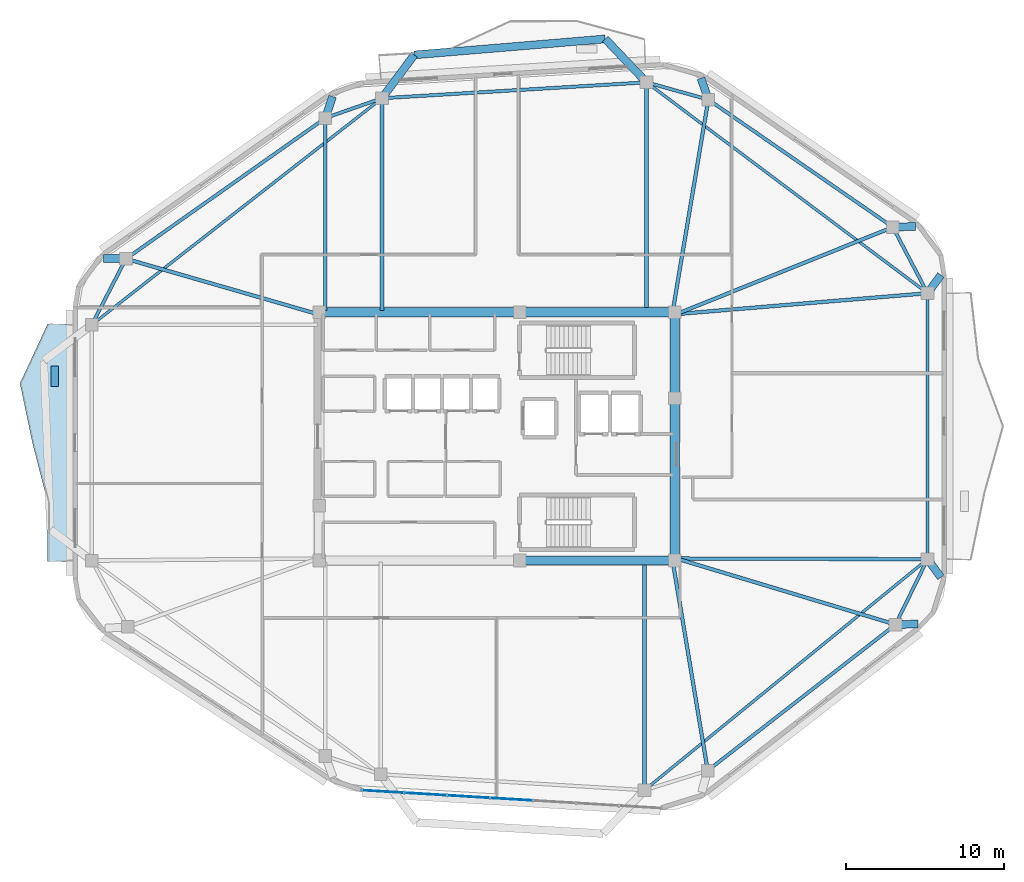
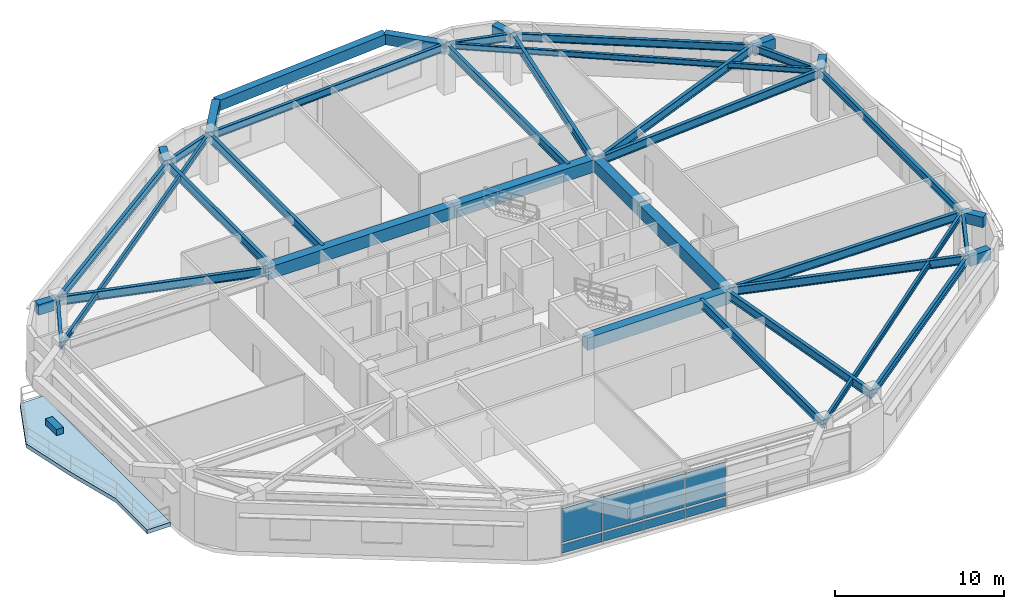
# One storey, part 5 of 12: 39 beams, 9 plates, 1 slab, 1 element without a shape of its own.
"""IFC4 building model written with IfcOpenShell, lengths in metres."""

import ifcopenshell
import ifcopenshell.guid

model = None  # the IFC model being written
_history = None  # IfcOwnerHistory: only IFC2X3 demands one
_inside = {}  # id of a spatial element -> (the spatial element, [elements in it])
_under = {}  # id of a project, library or spatial element -> (it, [spatial elements below it])
_declared = {}  # id of a project -> (the project, [libraries it declares])
_typed = {}  # id of a type object -> (the type object, [elements of that type])
_made_of = {}  # id of a material, layer set ... -> (it, [elements and type objects made of it])


def new_model(schema):
    """Start an empty IFC model of exactly this schema.

    Asked for "IFC4X3", IfcOpenShell would pick the latest addendum, in which some entities
    have other attributes; the version numbers below select the first issue.
    IFC2X3 requires an IfcOwnerHistory on every rooted entity: one is made here for all.
    """
    global model, _history
    if schema == "IFC4X3":
        model = ifcopenshell.file(schema_version=(4, 3, 0, 0))
    else:
        model = ifcopenshell.file(schema=schema)
    _inside.clear()
    _under.clear()
    _declared.clear()
    _typed.clear()
    _made_of.clear()
    _history = None
    if model.schema == "IFC2X3":
        org = make("IfcOrganization", Name="unknown")
        user = make(
            "IfcPersonAndOrganization",
            ThePerson=make("IfcPerson", FamilyName="unknown"),
            TheOrganization=org,
        )
        app = make(
            "IfcApplication",
            ApplicationDeveloper=org,
            Version="unknown",
            ApplicationFullName="unknown",
            ApplicationIdentifier="unknown",
        )
        _history = make(
            "IfcOwnerHistory",
            OwningUser=user,
            OwningApplication=app,
            ChangeAction="ADDED",
            CreationDate=0,
        )
    return model


def make(cls, **values):
    """One entity of the class cls with the attributes given. An attribute that is None is left unset."""
    return model.create_entity(
        cls, **{name: value for name, value in values.items() if value is not None}
    )


def rooted(cls, **values):
    """An entity with a GlobalId (a new one), such as an element, a storey or a relation."""
    return make(cls, GlobalId=ifcopenshell.guid.new(), OwnerHistory=_history, **values)


def si_unit(unit_type, name, prefix=None):
    """IfcSIUnit, for example si_unit("LENGTHUNIT", "METRE", prefix="MILLI")."""
    return make("IfcSIUnit", UnitType=unit_type, Prefix=prefix, Name=name)


def assignment(units):
    """IfcUnitAssignment: the units of a project."""
    return None if units is None else make("IfcUnitAssignment", Units=units)


def point(xyz):
    """IfcCartesianPoint."""
    return None if xyz is None else make("IfcCartesianPoint", Coordinates=xyz)


def direction(xyz):
    """IfcDirection."""
    return None if xyz is None else make("IfcDirection", DirectionRatios=xyz)


def frame(location, z_axis=None, x_axis=None):
    """IfcAxis2Placement3D, a coordinate frame: its origin and axes. An axis left out is left unset."""
    return make(
        "IfcAxis2Placement3D",
        Location=point(location),
        Axis=direction(z_axis),
        RefDirection=direction(x_axis),
    )


def frame_2d(location, x_axis=None):
    """IfcAxis2Placement2D, a coordinate frame in the plane: its origin and x axis."""
    return make(
        "IfcAxis2Placement2D", Location=point(location), RefDirection=direction(x_axis)
    )


def origin():
    """The frame at (0, 0, 0) with its axes left unset."""
    return frame((0.0, 0.0, 0.0))


def origin_2d():
    """The frame at (0, 0) in the plane with its x axis left unset."""
    return frame_2d((0.0, 0.0))


def place(relative_to, where):
    """IfcLocalPlacement: puts the frame where relative to a parent placement (None: the world)."""
    return make(
        "IfcLocalPlacement", PlacementRelTo=relative_to, RelativePlacement=where
    )


def context(
    kind, dimensions, precision=None, world=None, true_north=None, identifier=None
):
    """IfcGeometricRepresentationContext, for example the 3D "Model" context."""
    return make(
        "IfcGeometricRepresentationContext",
        ContextIdentifier=identifier,
        ContextType=kind,
        CoordinateSpaceDimension=dimensions,
        Precision=precision,
        WorldCoordinateSystem=world,
        TrueNorth=true_north,
    )


def subcontext(parent, identifier, kind, view, scale=None):
    """IfcGeometricRepresentationSubContext, for example "Body" below "Model"."""
    return make(
        "IfcGeometricRepresentationSubContext",
        ContextIdentifier=identifier,
        ContextType=kind,
        ParentContext=parent,
        TargetScale=scale,
        TargetView=view,
    )


def project(units=None, contexts=None):
    """IfcProject with its units and contexts."""
    return rooted(
        "IfcProject",
        Name="project",
        RepresentationContexts=contexts,
        UnitsInContext=assignment(units),
    )


def spatial(cls, under=None, at=None, **own):
    """A site, building, storey or space (cls), placed at a placement, below another one or the project."""
    s = rooted(cls, ObjectPlacement=at, **own)
    if under is not None:
        _under.setdefault(under.id(), (under, []))[1].append(s)
    return s


def polyline(points):
    """IfcPolyline through the points."""
    return make("IfcPolyline", Points=[point(p) for p in points])


def profile(cls, at=None, kind="AREA", **sizes):
    """A parametric profile (cls). Its sizes go by their IFC names, for example OverallWidth=200.0."""
    return make(cls, ProfileType=kind, Position=at, **sizes)


def rectangle(**sizes):
    """IfcRectangleProfileDef."""
    return profile("IfcRectangleProfileDef", **sizes)


def i_section(**sizes):
    """IfcIShapeProfileDef."""
    return profile("IfcIShapeProfileDef", **sizes)


def outline(outer, holes=None, kind="AREA"):
    """IfcArbitraryClosedProfileDef: a profile drawn as a closed curve; with holes, ...WithVoids."""
    if holes is None:
        return make("IfcArbitraryClosedProfileDef", ProfileType=kind, OuterCurve=outer)
    return make(
        "IfcArbitraryProfileDefWithVoids",
        ProfileType=kind,
        OuterCurve=outer,
        InnerCurves=holes,
    )


def extrude(swept, where, along, depth):
    """IfcExtrudedAreaSolid: the profile swept, set in the frame where, extruded along a direction by depth."""
    return make(
        "IfcExtrudedAreaSolid",
        SweptArea=swept,
        Position=where,
        ExtrudedDirection=direction(along),
        Depth=depth,
    )


def shape(context_of_items, identifier, shape_type, items):
    """IfcShapeRepresentation: the items that make up one representation, for example the "Body"."""
    return make(
        "IfcShapeRepresentation",
        ContextOfItems=context_of_items,
        RepresentationIdentifier=identifier,
        RepresentationType=shape_type,
        Items=items,
    )


def material(Name=None, Category=None):
    """IfcMaterial."""
    return make("IfcMaterial", Name=Name, Category=Category)


def layer(
    of_material, thickness, ventilated=None, Name=None, Category=None, Priority=None
):
    """IfcMaterialLayer: one layer of a wall or slab, of a material (None: an air gap)."""
    return make(
        "IfcMaterialLayer",
        Material=of_material,
        LayerThickness=thickness,
        IsVentilated=ventilated,
        Name=Name,
        Category=Category,
        Priority=Priority,
    )


def layer_set(layers, Name=None):
    """IfcMaterialLayerSet."""
    return make("IfcMaterialLayerSet", MaterialLayers=layers, LayerSetName=Name)


def material_profile(
    of_material, cross_section, Name=None, Category=None, Priority=None
):
    """IfcMaterialProfile: a cross section and its material."""
    return make(
        "IfcMaterialProfile",
        Name=Name,
        Material=of_material,
        Profile=cross_section,
        Priority=Priority,
        Category=Category,
    )


def profile_set(profiles, Name=None, composite=None):
    """IfcMaterialProfileSet."""
    return make(
        "IfcMaterialProfileSet",
        Name=Name,
        MaterialProfiles=profiles,
        CompositeProfile=composite,
    )


def made_of(thing, what):
    """Note that an element or type object is made of a material, layer set ...; save() writes the relation."""
    if what is not None:
        _made_of.setdefault(what.id(), (what, []))[1].append(thing)
    return thing


def type_object(cls, material=None, **own):
    """A type object (cls), such as IfcWallType, which elements share."""
    return made_of(rooted(cls, **own), material)


def element(
    cls,
    number,
    at=None,
    inside=None,
    cuts=None,
    type_object=None,
    material=None,
    context=None,
    identifier="Body",
    shape_type=None,
    held_by="IfcProductDefinitionShape",
    body=None,
    shapes=None,
    **own,
):
    """One element of the class cls, such as IfcWall. Its Tag is "e" and its number.

    at: its placement. inside: the storey or other place that contains it. cuts: it is an
    opening in that element (IfcRelVoidsElement). A single representation is given by context,
    identifier, shape_type and body (its items); several are given by shapes. held_by: the class
    of the entity that holds the representations. save() writes the other relations.
    """
    e = rooted(cls, Tag="e%d" % number, ObjectPlacement=at, **own)
    if body is not None:
        shapes = [shape(context, identifier, shape_type, body)]
    if shapes is not None:
        e.Representation = make(held_by, Representations=shapes)
    if inside is not None:
        _inside.setdefault(inside.id(), (inside, []))[1].append(e)
    if cuts is not None:
        rooted(
            "IfcRelVoidsElement", RelatingBuildingElement=cuts, RelatedOpeningElement=e
        )
    if type_object is not None:
        _typed.setdefault(type_object.id(), (type_object, []))[1].append(e)
    return made_of(e, material)


def aggregate(whole, parts):
    """IfcRelAggregates: a whole, such as a stair, and the parts it consists of."""
    return rooted("IfcRelAggregates", RelatingObject=whole, RelatedObjects=parts)


def save(model, path):
    """Write the relations noted so far, then the file.

    IfcRelAggregates (storeys below a building ...), IfcRelContainedInSpatialStructure (elements
    in a storey), IfcRelDefinesByType, IfcRelAssociatesMaterial and IfcRelDeclares: one each for
    every whole, place, type object, material and project.
    """
    for whole, parts in _under.values():
        aggregate(whole, parts)
    for where, things in _inside.values():
        rooted(
            "IfcRelContainedInSpatialStructure",
            RelatedElements=things,
            RelatingStructure=where,
        )
    for kind, things in _typed.values():
        rooted("IfcRelDefinesByType", RelatedObjects=things, RelatingType=kind)
    for what, things in _made_of.values():
        rooted("IfcRelAssociatesMaterial", RelatedObjects=things, RelatingMaterial=what)
    for by, libraries in _declared.values():
        rooted("IfcRelDeclares", RelatingContext=by, RelatedDefinitions=libraries)
    model.write(path)


model = new_model("IFC4")

# Units and contexts
model_context = context("Model", 3, precision=1e-05, world=origin(), true_north=direction((0.0, 1.0)))
body_context = subcontext(model_context, "Body", "Model", "MODEL_VIEW")
ifc_project = project(units=[si_unit("LENGTHUNIT", "METRE"), si_unit("AREAUNIT", "SQUARE_METRE"), si_unit("VOLUMEUNIT", "CUBIC_METRE"), si_unit("PLANEANGLEUNIT", "RADIAN"), si_unit("MASSUNIT", "GRAM", prefix="KILO")], contexts=[model_context])

# Site, building, storey
site_placement = place(None, origin())
site = spatial("IfcSite", under=ifc_project, at=site_placement, CompositionType="ELEMENT")
building_placement = place(site_placement, origin())
building = spatial("IfcBuilding", under=site, at=building_placement, Name="Zulverin Broadcast Headquarters", CompositionType="ELEMENT")
storey_placement = place(building_placement, frame((0.0, 0.0, 232.60009765625)))
storey = spatial("IfcBuildingStorey", under=building, at=storey_placement, Name="L59", CompositionType="ELEMENT", Elevation=232.60009765625)

# Beams
ifc_material_1 = material(Name="Concrete C60/75", Category="concrete")
ifc_material_profile_1 = material_profile(ifc_material_1, rectangle(XDim=0.60009765625, YDim=0.89990234375, at=origin_2d()), Name="Concrete C60/75", Category="concrete")
ifc_profile_set_1 = profile_set([ifc_material_profile_1], Name="Concrete C60/75")
beam_type_1 = type_object("IfcBeamType", Name="BM-CB-600x900", PredefinedType="LINTEL", material=ifc_profile_set_1)
beam_1_placement = place(storey_placement, frame((38.449951171875, 17.324951171875, 3.059814453125), z_axis=(1.0, 0.0, 0.0), x_axis=(0.0, 1.0, 0.0)))
element("IfcBeam", 1, at=beam_1_placement, inside=storey, type_object=beam_type_1, Name="L59 Core Coupling Girder K02-K03", PredefinedType="LINTEL", context=body_context, shape_type="SweptSolid", body=[
    extrude(rectangle(XDim=0.60009765625, YDim=0.89990234375, at=origin_2d()), origin(), (0.0, 0.0, 1.0), 9.824951171875),
])
beam_2_placement = place(storey_placement, frame((48.27490234375, 17.324951171875, 3.059814453125), z_axis=(0.0, 1.0, 0.0), x_axis=(-1.0, 0.0, 0.0)))
element("IfcBeam", 2, at=beam_2_placement, inside=storey, type_object=beam_type_1, Name="L59 Core Coupling Girder K03-K04", PredefinedType="LINTEL", context=body_context, shape_type="SweptSolid", body=[
    extrude(rectangle(XDim=0.60009765625, YDim=0.89990234375, at=origin_2d()), origin(), (0.0, 0.0, 1.0), 10.295166015625),
])
beam_3_placement = place(storey_placement, frame((48.27490234375, 27.6201171875, 3.059814453125), z_axis=(0.0, 1.0, 0.0), x_axis=(-1.0, 0.0, 0.0)))
element("IfcBeam", 3, at=beam_3_placement, inside=storey, type_object=beam_type_1, Name="L59 Core Coupling Girder K04-K05", PredefinedType="LINTEL", context=body_context, shape_type="SweptSolid", body=[
    extrude(rectangle(XDim=0.60009765625, YDim=0.89990234375, at=origin_2d()), origin(), (0.0, 0.0, 1.0), 5.454833984375),
])
beam_4_placement = place(storey_placement, frame((48.27490234375, 33.074951171875, 3.059814453125), z_axis=(-1.0, 0.0, 0.0), x_axis=(0.0, -1.0, 0.0)))
element("IfcBeam", 4, at=beam_4_placement, inside=storey, type_object=beam_type_1, Name="L59 Core Coupling Girder K05-K06", PredefinedType="LINTEL", context=body_context, shape_type="SweptSolid", body=[
    extrude(rectangle(XDim=0.60009765625, YDim=0.89990234375, at=origin_2d()), origin(), (0.0, 0.0, 1.0), 9.824951171875),
])
beam_5_placement = place(storey_placement, frame((38.449951171875, 33.074951171875, 3.059814453125), z_axis=(-1.0, 0.0, 0.0), x_axis=(0.0, -1.0, 0.0)))
element("IfcBeam", 5, at=beam_5_placement, inside=storey, type_object=beam_type_1, Name="L59 Core Coupling Girder K06-K07", PredefinedType="LINTEL", context=body_context, shape_type="SweptSolid", body=[
    extrude(rectangle(XDim=0.60009765625, YDim=0.89990234375, at=origin_2d()), origin(), (0.0, 0.0, 1.0), 12.724853515625),
])
ifc_material_2 = material(Name="Concrete C40/50", Category="concrete")
ifc_material_profile_2 = material_profile(ifc_material_2, rectangle(XDim=0.5, YDim=0.75, at=origin_2d()), Name="Concrete C40/50", Category="concrete")
ifc_profile_set_2 = profile_set([ifc_material_profile_2], Name="Concrete C40/50")
beam_type_2 = type_object("IfcBeamType", Name="BM-RC-500x750", PredefinedType="BEAM", material=ifc_profile_set_2)
beam_6_placement = place(storey_placement, frame((62.272216796875, 13.262451171875, 3.135009765625), z_axis=(0.999706131466, 0.024241507969, 0.0), x_axis=(-0.024241507969, 0.999706131466, 0.0)))
element("IfcBeam", 6, at=beam_6_placement, inside=storey, type_object=beam_type_2, Name="L60 Plate Overhang Back-Spanned Beam OVR-04", PredefinedType="BEAM", context=body_context, shape_type="SweptSolid", body=[
    extrude(rectangle(XDim=0.5, YDim=0.75, at=origin_2d()), origin(), (0.0, 0.0, 1.0), 1.43017578125),
])
beam_7_placement = place(storey_placement, frame((64.300048828125, 17.40771484375, 3.135009765625), z_axis=(0.594357454608, -0.80420097995, 0.0), x_axis=(0.80420097995, 0.594357454608, 0.0)))
element("IfcBeam", 7, at=beam_7_placement, inside=storey, type_object=beam_type_2, Name="L60 Plate Overhang Back-Spanned Beam OVR-05", PredefinedType="BEAM", context=body_context, shape_type="SweptSolid", body=[
    extrude(rectangle(XDim=0.5, YDim=0.75, at=origin_2d()), origin(), (0.0, 0.0, 1.0), 1.429931640625),
])
beam_8_placement = place(storey_placement, frame((64.300048828125, 34.275634765625, 3.135009765625), z_axis=(0.594275850381, 0.804261284443, 0.0), x_axis=(-0.804261284443, 0.594275850381, 0.0)))
element("IfcBeam", 8, at=beam_8_placement, inside=storey, type_object=beam_type_2, Name="L60 Plate Overhang Back-Spanned Beam OVR-06", PredefinedType="BEAM", context=body_context, shape_type="SweptSolid", body=[
    extrude(rectangle(XDim=0.5, YDim=0.75, at=origin_2d()), origin(), (0.0, 0.0, 1.0), 1.43017578125),
])
for number, where, z_axis, x_axis, name in (
    (9, (62.102783203125, 38.465087890625, 3.135009765625), (0.99949018153, 0.031927684309, 0.0), (-0.031927684309, 0.99949018153, 0.0), "L60 Plate Overhang Back-Spanned Beam OVR-07"),
    (10, (50.39794921875, 46.554443359375, 3.135009765625), (-0.323542873341, 0.946213511376, 0.0), (-0.946213511376, -0.323542873341, 0.0), "L60 Plate Overhang Back-Spanned Beam OVR-08"),
):
    element("IfcBeam", number, at=place(storey_placement, frame(where, z_axis=z_axis, x_axis=x_axis)), inside=storey, type_object=beam_type_2, Name=name, PredefinedType="BEAM", context=body_context, shape_type="SweptSolid", body=[
        extrude(rectangle(XDim=0.5, YDim=0.75, at=origin_2d()), origin(), (0.0, 0.0, 1.0), 1.429931640625),
    ])
beam_9_placement = place(storey_placement, frame((26.11474609375, 45.383544921875, 3.135009765625), z_axis=(0.314280982662, 0.94933000792, 0.0), x_axis=(-0.94933000792, 0.314280982662, 0.0)))
element("IfcBeam", 11, at=beam_9_placement, inside=storey, type_object=beam_type_2, Name="L60 Plate Overhang Back-Spanned Beam OVR-11", PredefinedType="BEAM", context=body_context, shape_type="SweptSolid", body=[
    extrude(rectangle(XDim=0.5, YDim=0.75, at=origin_2d()), origin(), (0.0, 0.0, 1.0), 1.43017578125),
])
beam_10_placement = place(storey_placement, frame((13.46728515625, 36.457763671875, 3.135009765625), z_axis=(-0.999761201155, 0.02185270385, 0.0), x_axis=(-0.02185270385, -0.999761201155, 0.0)))
element("IfcBeam", 12, at=beam_10_placement, inside=storey, type_object=beam_type_2, Name="L60 Plate Overhang Back-Spanned Beam OVR-12", PredefinedType="BEAM", context=body_context, shape_type="SweptSolid", body=[
    extrude(rectangle(XDim=0.5, YDim=0.75, at=origin_2d()), origin(), (0.0, 0.0, 1.0), 1.429931640625),
])
beam_11_placement = place(storey_placement, frame((46.4814453125, 47.6484375, 3.135009765625), z_axis=(-0.689382393643, 0.724397622397, 0.0), x_axis=(-0.724397622397, -0.689382393643, 0.0)))
element("IfcBeam", 13, at=beam_11_placement, inside=storey, type_object=beam_type_2, Name="L60 Balcony Column-Framed Cantilever BAL_N-1", PredefinedType="BEAM", context=body_context, shape_type="SweptSolid", body=[
    extrude(rectangle(XDim=0.5, YDim=0.75, at=origin_2d()), origin(), (0.0, 0.0, 1.0), 3.800048828125),
])
beam_12_placement = place(storey_placement, frame((29.70068359375, 46.64111328125, 3.135009765625), z_axis=(0.597786638616, 0.801655246781, 0.0), x_axis=(-0.801655246781, 0.597786638616, 0.0)))
element("IfcBeam", 14, at=beam_12_placement, inside=storey, type_object=beam_type_2, Name="L60 Balcony Column-Framed Cantilever BAL_N-2", PredefinedType="BEAM", context=body_context, shape_type="SweptSolid", body=[
    extrude(rectangle(XDim=0.5, YDim=0.75, at=origin_2d()), origin(), (0.0, 0.0, 1.0), 3.42724609375),
])
beam_13_placement = place(storey_placement, frame((43.86181640625, 50.401123046875, 3.135009765625), z_axis=(-0.996524670162, -0.083298149786, 0.0), x_axis=(0.083298149786, -0.996524670162, 0.0)))
element("IfcBeam", 15, at=beam_13_placement, inside=storey, type_object=beam_type_2, Name="L60 Balcony Outer Edge Trimmer Beam BAL_N", PredefinedType="BEAM", context=body_context, shape_type="SweptSolid", body=[
    extrude(rectangle(XDim=0.5, YDim=0.75, at=origin_2d()), origin(), (0.0, 0.0, 1.0), 12.154541015625),
])
ifc_material_3 = material(Name="Structural steel S355JR", Category="steel")
ifc_material_profile_3 = material_profile(ifc_material_3, i_section(OverallWidth=0.179443359375, OverallDepth=0.412841796875, WebThickness=0.009521484375, FlangeThickness=0.01611328125, at=origin_2d()), Name="Structural steel S355JR", Category="steel")
ifc_profile_set_3 = profile_set([ifc_material_profile_3], Name="Structural steel S355JR")
beam_type_3 = type_object("IfcBeamType", Name="BM-UB-406", PredefinedType="JOIST", material=ifc_profile_set_3)
beam_14_placement = place(storey_placement, frame((46.3515625, 2.759521484375, 3.303466796875), z_axis=(0.77473799882, 0.632282399869, 0.0), x_axis=(-0.632282399869, 0.77473799882, 0.0)))
element("IfcBeam", 16, at=beam_14_placement, inside=storey, type_object=beam_type_3, Name="L59 Chordal Floor Joist J-01", PredefinedType="JOIST", context=body_context, shape_type="SweptSolid", body=[
    extrude(i_section(OverallWidth=0.179443359375, OverallDepth=0.412841796875, WebThickness=0.009521484375, FlangeThickness=0.01611328125, at=origin_2d()), origin(), (0.0, 0.0, 1.0), 23.167236328125),
])
beam_15_placement = place(storey_placement, frame((64.300048828125, 34.275634765625, 3.303466796875), z_axis=(-0.799809280949, 0.600254207905, 0.0), x_axis=(-0.600254207905, -0.799809280949, 0.0)))
element("IfcBeam", 17, at=beam_15_placement, inside=storey, type_object=beam_type_3, Name="L59 Chordal Floor Joist J-02", PredefinedType="JOIST", context=body_context, shape_type="SweptSolid", body=[
    extrude(i_section(OverallWidth=0.179443359375, OverallDepth=0.412841796875, WebThickness=0.009521484375, FlangeThickness=0.01611328125, at=origin_2d()), origin(), (0.0, 0.0, 1.0), 22.278564453125),
])
beam_16_placement = place(storey_placement, frame((29.70068359375, 46.64111328125, 3.303466796875), z_axis=(-0.788227438956, -0.615384030079, 0.0), x_axis=(0.615384030079, -0.788227438956, 0.0)))
element("IfcBeam", 18, at=beam_16_placement, inside=storey, type_object=beam_type_3, Name="L59 Chordal Floor Joist J-03", PredefinedType="JOIST", context=body_context, shape_type="SweptSolid", body=[
    extrude(i_section(OverallWidth=0.179443359375, OverallDepth=0.412841796875, WebThickness=0.009521484375, FlangeThickness=0.01611328125, at=origin_2d()), origin(), (0.0, 0.0, 1.0), 23.34423828125),
])
ifc_material_profile_4 = material_profile(ifc_material_3, i_section(OverallWidth=0.2119140625, OverallDepth=0.54443359375, WebThickness=0.0126953125, FlangeThickness=0.021240234375, at=origin_2d()), Name="Structural steel S355JR", Category="steel")
ifc_profile_set_4 = profile_set([ifc_material_profile_4], Name="Structural steel S355JR")
beam_type_4 = type_object("IfcBeamType", Name="BM-UB-533", PredefinedType="SPANDREL", material=ifc_profile_set_4)
beam_17_placement = place(storey_placement, frame((50.361083984375, 4.001708984375, 3.237548828125), z_axis=(0.789463732329, 0.613797210271, 0.0), x_axis=(-0.613797210271, 0.789463732329, 0.0)))
element("IfcBeam", 19, at=beam_17_placement, inside=storey, type_object=beam_type_4, Name="L59 Perimeter Spandrel Beam SP-03", PredefinedType="SPANDREL", context=body_context, shape_type="SweptSolid", body=[
    extrude(i_section(OverallWidth=0.2119140625, OverallDepth=0.54443359375, WebThickness=0.0126953125, FlangeThickness=0.021240234375, at=origin_2d()), origin(), (0.0, 0.0, 1.0), 15.087646484375),
])
beam_18_placement = place(storey_placement, frame((62.272216796875, 13.262451171875, 3.237548828125), z_axis=(0.439430258265, 0.898276710219, 0.0), x_axis=(-0.898276710219, 0.439430258265, 0.0)))
element("IfcBeam", 20, at=beam_18_placement, inside=storey, type_object=beam_type_4, Name="L59 Perimeter Spandrel Beam SP-04", PredefinedType="SPANDREL", context=body_context, shape_type="SweptSolid", body=[
    extrude(i_section(OverallWidth=0.2119140625, OverallDepth=0.54443359375, WebThickness=0.0126953125, FlangeThickness=0.021240234375, at=origin_2d()), origin(), (0.0, 0.0, 1.0), 4.61474609375),
])
beam_19_placement = place(storey_placement, frame((64.300048828125, 17.40771484375, 3.237548828125), z_axis=(0.0, 1.0, 0.0), x_axis=(-1.0, 0.0, 0.0)))
element("IfcBeam", 21, at=beam_19_placement, inside=storey, type_object=beam_type_4, Name="L59 Perimeter Spandrel Beam SP-05", PredefinedType="SPANDREL", context=body_context, shape_type="SweptSolid", body=[
    extrude(i_section(OverallWidth=0.2119140625, OverallDepth=0.54443359375, WebThickness=0.0126953125, FlangeThickness=0.021240234375, at=origin_2d()), origin(), (0.0, 0.0, 1.0), 16.867919921875),
])
beam_20_placement = place(storey_placement, frame((64.300048828125, 34.275634765625, 3.237548828125), z_axis=(-0.464469748171, 0.885588986513, 0.0), x_axis=(-0.885588986513, -0.464469748171, 0.0)))
element("IfcBeam", 22, at=beam_20_placement, inside=storey, type_object=beam_type_4, Name="L59 Perimeter Spandrel Beam SP-06", PredefinedType="SPANDREL", context=body_context, shape_type="SweptSolid", body=[
    extrude(i_section(OverallWidth=0.2119140625, OverallDepth=0.54443359375, WebThickness=0.0126953125, FlangeThickness=0.021240234375, at=origin_2d()), origin(), (0.0, 0.0, 1.0), 4.730712890625),
])
beam_21_placement = place(storey_placement, frame((62.102783203125, 38.465087890625, 3.237548828125), z_axis=(-0.822652126292, 0.568545054597, 0.0), x_axis=(-0.568545054597, -0.822652126292, 0.0)))
element("IfcBeam", 23, at=beam_21_placement, inside=storey, type_object=beam_type_4, Name="L59 Perimeter Spandrel Beam SP-07", PredefinedType="SPANDREL", context=body_context, shape_type="SweptSolid", body=[
    extrude(i_section(OverallWidth=0.2119140625, OverallDepth=0.54443359375, WebThickness=0.0126953125, FlangeThickness=0.021240234375, at=origin_2d()), origin(), (0.0, 0.0, 1.0), 14.228271484375),
])
beam_22_placement = place(storey_placement, frame((50.39794921875, 46.554443359375, 3.237548828125), z_axis=(-0.963131566005, 0.26903082828, 0.0), x_axis=(-0.26903082828, -0.963131566005, 0.0)))
element("IfcBeam", 24, at=beam_22_placement, inside=storey, type_object=beam_type_4, Name="L59 Perimeter Spandrel Beam SP-08", PredefinedType="SPANDREL", context=body_context, shape_type="SweptSolid", body=[
    extrude(i_section(OverallWidth=0.2119140625, OverallDepth=0.54443359375, WebThickness=0.0126953125, FlangeThickness=0.021240234375, at=origin_2d()), origin(), (0.0, 0.0, 1.0), 4.06640625),
])
beam_23_placement = place(storey_placement, frame((46.4814453125, 47.6484375, 3.237548828125), z_axis=(-0.99820314332, -0.059920653088, 0.0), x_axis=(0.059920653088, -0.99820314332, 0.0)))
element("IfcBeam", 25, at=beam_23_placement, inside=storey, type_object=beam_type_4, Name="L59 Perimeter Spandrel Beam SP-09", PredefinedType="SPANDREL", context=body_context, shape_type="SweptSolid", body=[
    extrude(i_section(OverallWidth=0.2119140625, OverallDepth=0.54443359375, WebThickness=0.0126953125, FlangeThickness=0.021240234375, at=origin_2d()), origin(), (0.0, 0.0, 1.0), 16.81103515625),
])
beam_24_placement = place(storey_placement, frame((29.70068359375, 46.64111328125, 3.237548828125), z_axis=(-0.943653845921, -0.330934161243, 0.0), x_axis=(0.330934161243, -0.943653845921, 0.0)))
element("IfcBeam", 26, at=beam_24_placement, inside=storey, type_object=beam_type_4, Name="L59 Perimeter Spandrel Beam SP-10", PredefinedType="SPANDREL", context=body_context, shape_type="SweptSolid", body=[
    extrude(i_section(OverallWidth=0.2119140625, OverallDepth=0.54443359375, WebThickness=0.0126953125, FlangeThickness=0.021240234375, at=origin_2d()), origin(), (0.0, 0.0, 1.0), 3.800048828125),
])
beam_25_placement = place(storey_placement, frame((26.11474609375, 45.383544921875, 3.237548828125), z_axis=(-0.817023806154, -0.576603937012, 0.0), x_axis=(0.576603937012, -0.817023806154, 0.0)))
element("IfcBeam", 27, at=beam_25_placement, inside=storey, type_object=beam_type_4, Name="L59 Perimeter Spandrel Beam SP-11", PredefinedType="SPANDREL", context=body_context, shape_type="SweptSolid", body=[
    extrude(i_section(OverallWidth=0.2119140625, OverallDepth=0.54443359375, WebThickness=0.0126953125, FlangeThickness=0.021240234375, at=origin_2d()), origin(), (0.0, 0.0, 1.0), 15.47998046875),
])
beam_26_placement = place(storey_placement, frame((13.46728515625, 36.457763671875, 3.237548828125), z_axis=(-0.460082658911, -0.887876087621, 0.0), x_axis=(0.887876087621, -0.460082658911, 0.0)))
element("IfcBeam", 28, at=beam_26_placement, inside=storey, type_object=beam_type_4, Name="L59 Perimeter Spandrel Beam SP-12", PredefinedType="SPANDREL", context=body_context, shape_type="SweptSolid", body=[
    extrude(i_section(OverallWidth=0.2119140625, OverallDepth=0.54443359375, WebThickness=0.0126953125, FlangeThickness=0.021240234375, at=origin_2d()), origin(), (0.0, 0.0, 1.0), 4.71044921875),
])
ifc_material_profile_5 = material_profile(ifc_material_3, i_section(OverallWidth=0.230224609375, OverallDepth=0.6171875, WebThickness=0.01318359375, FlangeThickness=0.022216796875, at=origin_2d()), Name="Structural steel S355JR", Category="steel")
ifc_profile_set_5 = profile_set([ifc_material_profile_5], Name="Structural steel S355JR")
beam_type_5 = type_object("IfcBeamType", Name="BM-UB-610", PredefinedType="BEAM", material=ifc_profile_set_5)
beam_27_placement = place(storey_placement, frame((46.3515625, 17.22509765625, 3.201416015625), z_axis=(0.0, -1.0, 0.0), x_axis=(1.0, 0.0, 0.0)))
element("IfcBeam", 29, at=beam_27_placement, inside=storey, type_object=beam_type_5, Name="L59 Radial Primary Floor Beam RB-02", PredefinedType="BEAM", context=body_context, shape_type="SweptSolid", body=[
    extrude(i_section(OverallWidth=0.230224609375, OverallDepth=0.6171875, WebThickness=0.01318359375, FlangeThickness=0.022216796875, at=origin_2d()), origin(), (0.0, 0.0, 1.0), 14.465576171875),
])
beam_28_placement = place(storey_placement, frame((48.14990234375, 17.22509765625, 3.201416015625), z_axis=(0.1649275445, -0.986305685407, 0.0), x_axis=(0.986305685407, 0.1649275445, 0.0)))
element("IfcBeam", 30, at=beam_28_placement, inside=storey, type_object=beam_type_5, Name="L59 Radial Primary Floor Beam RB-03", PredefinedType="BEAM", context=body_context, shape_type="SweptSolid", body=[
    extrude(i_section(OverallWidth=0.230224609375, OverallDepth=0.6171875, WebThickness=0.01318359375, FlangeThickness=0.022216796875, at=origin_2d()), origin(), (0.0, 0.0, 1.0), 13.406982421875),
])
beam_29_placement = place(storey_placement, frame((48.375, 17.449951171875, 3.201416015625), z_axis=(0.957477907331, -0.288506597799, 0.0), x_axis=(0.288506597799, 0.957477907331, 0.0)))
element("IfcBeam", 31, at=beam_29_placement, inside=storey, type_object=beam_type_5, Name="L59 Radial Primary Floor Beam RB-04", PredefinedType="BEAM", context=body_context, shape_type="SweptSolid", body=[
    extrude(i_section(OverallWidth=0.230224609375, OverallDepth=0.6171875, WebThickness=0.01318359375, FlangeThickness=0.022216796875, at=origin_2d()), origin(), (0.0, 0.0, 1.0), 14.514404296875),
])
beam_30_placement = place(storey_placement, frame((48.375, 17.449951171875, 3.201416015625), z_axis=(0.999996482951, -0.002652185248, 0.0), x_axis=(0.002652185248, 0.999996482951, 0.0)))
element("IfcBeam", 32, at=beam_30_placement, inside=storey, type_object=beam_type_5, Name="L59 Radial Primary Floor Beam RB-05", PredefinedType="BEAM", context=body_context, shape_type="SweptSolid", body=[
    extrude(i_section(OverallWidth=0.230224609375, OverallDepth=0.6171875, WebThickness=0.01318359375, FlangeThickness=0.022216796875, at=origin_2d()), origin(), (0.0, 0.0, 1.0), 15.925048828125),
])
beam_31_placement = place(storey_placement, frame((48.375, 32.949951171875, 3.201416015625), z_axis=(0.996553024533, 0.082958238256, 0.0), x_axis=(-0.082958238256, 0.996553024533, 0.0)))
element("IfcBeam", 33, at=beam_31_placement, inside=storey, type_object=beam_type_5, Name="L59 Radial Primary Floor Beam RB-06", PredefinedType="BEAM", context=body_context, shape_type="SweptSolid", body=[
    extrude(i_section(OverallWidth=0.230224609375, OverallDepth=0.6171875, WebThickness=0.01318359375, FlangeThickness=0.022216796875, at=origin_2d()), origin(), (0.0, 0.0, 1.0), 15.980224609375),
])
beam_32_placement = place(storey_placement, frame((48.375, 32.949951171875, 3.201416015625), z_axis=(0.927915690744, 0.37279011638, 0.0), x_axis=(-0.37279011638, 0.927915690744, 0.0)))
element("IfcBeam", 34, at=beam_32_placement, inside=storey, type_object=beam_type_5, Name="L59 Radial Primary Floor Beam RB-07", PredefinedType="BEAM", context=body_context, shape_type="SweptSolid", body=[
    extrude(i_section(OverallWidth=0.230224609375, OverallDepth=0.6171875, WebThickness=0.01318359375, FlangeThickness=0.022216796875, at=origin_2d()), origin(), (0.0, 0.0, 1.0), 14.794189453125),
])
beam_33_placement = place(storey_placement, frame((48.14990234375, 33.175048828125, 3.201416015625), z_axis=(0.165700339104, 0.986176149388, 0.0), x_axis=(-0.986176149388, 0.165700339104, 0.0)))
element("IfcBeam", 35, at=beam_33_placement, inside=storey, type_object=beam_type_5, Name="L59 Radial Primary Floor Beam RB-08", PredefinedType="BEAM", context=body_context, shape_type="SweptSolid", body=[
    extrude(i_section(OverallWidth=0.230224609375, OverallDepth=0.6171875, WebThickness=0.01318359375, FlangeThickness=0.022216796875, at=origin_2d()), origin(), (0.0, 0.0, 1.0), 13.56689453125),
])
beam_34_placement = place(storey_placement, frame((46.4814453125, 33.175048828125, 3.201416015625), z_axis=(0.0, 1.0, 0.0), x_axis=(-1.0, 0.0, 0.0)))
element("IfcBeam", 36, at=beam_34_placement, inside=storey, type_object=beam_type_5, Name="L59 Radial Primary Floor Beam RB-09", PredefinedType="BEAM", context=body_context, shape_type="SweptSolid", body=[
    extrude(i_section(OverallWidth=0.230224609375, OverallDepth=0.6171875, WebThickness=0.01318359375, FlangeThickness=0.022216796875, at=origin_2d()), origin(), (0.0, 0.0, 1.0), 14.473388671875),
])
beam_35_placement = place(storey_placement, frame((29.70068359375, 33.175048828125, 3.201416015625), z_axis=(0.0, 1.0, 0.0), x_axis=(-1.0, 0.0, 0.0)))
element("IfcBeam", 37, at=beam_35_placement, inside=storey, type_object=beam_type_5, Name="L59 Radial Primary Floor Beam RB-10", PredefinedType="BEAM", context=body_context, shape_type="SweptSolid", body=[
    extrude(i_section(OverallWidth=0.230224609375, OverallDepth=0.6171875, WebThickness=0.01318359375, FlangeThickness=0.022216796875, at=origin_2d()), origin(), (0.0, 0.0, 1.0), 13.466064453125),
])
beam_36_placement = place(storey_placement, frame((26.11474609375, 33.175048828125, 3.201416015625), z_axis=(0.0, 1.0, 0.0), x_axis=(-1.0, 0.0, 0.0)))
element("IfcBeam", 38, at=beam_36_placement, inside=storey, type_object=beam_type_5, Name="L59 Radial Primary Floor Beam RB-11", PredefinedType="BEAM", context=body_context, shape_type="SweptSolid", body=[
    extrude(i_section(OverallWidth=0.230224609375, OverallDepth=0.6171875, WebThickness=0.01318359375, FlangeThickness=0.022216796875, at=origin_2d()), origin(), (0.0, 0.0, 1.0), 12.20849609375),
])
beam_37_placement = place(storey_placement, frame((25.625, 32.949951171875, 3.201416015625), z_axis=(-0.960807187215, 0.277217512067, 0.0), x_axis=(-0.277217512067, -0.960807187215, 0.0)))
element("IfcBeam", 39, at=beam_37_placement, inside=storey, type_object=beam_type_5, Name="L59 Radial Primary Floor Beam RB-12", PredefinedType="BEAM", context=body_context, shape_type="SweptSolid", body=[
    extrude(i_section(OverallWidth=0.230224609375, OverallDepth=0.6171875, WebThickness=0.01318359375, FlangeThickness=0.022216796875, at=origin_2d()), origin(), (0.0, 0.0, 1.0), 12.653564453125),
])

# Curtain wall, plates
ifc_material_4 = material(Name="High-zone solar-control unitised curtain wall", Category="aluminium")
curtain_wall_type = type_object("IfcCurtainWallType", Name="CW-TWR-UPP", PredefinedType="USERDEFINED", material=ifc_material_4)
curtain_wall_placement = place(storey_placement, origin())
curtain_wall = element("IfcCurtainWall", 40, at=curtain_wall_placement, inside=storey, type_object=curtain_wall_type, Name="L59 Unitised Curtain Wall CW-L59-E1", ObjectType="UNITISED CURTAIN WALL", PredefinedType="USERDEFINED")
ifc_material_5 = material(Name="Low-E double-glazed pale-silver vision glass", Category="glass")
ifc_layer_1 = layer(ifc_material_5, 0.035888671875, Name="Low-E double-glazed pale-silver vision glass", Category="glass")
ifc_layer_set_1 = layer_set([ifc_layer_1], Name="Low-E double-glazed pale-silver vision glass")
plate_type_1 = type_object("IfcPlateType", Name="CW-PNL-GLZ", PredefinedType="CURTAIN_PANEL", material=ifc_layer_set_1)
plate_1_placement = place(storey_placement, frame((29.768310546875, 2.673095703125, 0.9072265625), z_axis=(0.0, 0.0, 1.0), x_axis=(0.998202681386, -0.059928347834, 0.0)))
plate_1 = element("IfcPlate", 41, at=plate_1_placement, type_object=plate_type_1, Name="CW-L59-E1 Vision Panel 00", PredefinedType="CURTAIN_PANEL", context=body_context, shape_type="SweptSolid", body=[
    extrude(rectangle(XDim=2.682861328125, YDim=0.035888671875, at=origin_2d()), origin(), (0.0, 0.0, 1.0), 2.462646484375),
])
plate_2_placement = place(storey_placement, frame((32.486328125, 2.509765625, 0.9072265625), z_axis=(0.0, 0.0, 1.0), x_axis=(0.998202681386, -0.059928347834, 0.0)))
plate_2 = element("IfcPlate", 42, at=plate_2_placement, type_object=plate_type_1, Name="CW-L59-E1 Vision Panel 01", PredefinedType="CURTAIN_PANEL", context=body_context, shape_type="SweptSolid", body=[
    extrude(rectangle(XDim=2.682861328125, YDim=0.035888671875, at=origin_2d()), origin(), (0.0, 0.0, 1.0), 2.462646484375),
])
plate_3_placement = place(storey_placement, frame((35.2041015625, 2.3466796875, 0.9072265625), z_axis=(0.0, 0.0, 1.0), x_axis=(0.998202681386, -0.059928347834, 0.0)))
plate_3 = element("IfcPlate", 43, at=plate_3_placement, type_object=plate_type_1, Name="CW-L59-E1 Vision Panel 02", PredefinedType="CURTAIN_PANEL", context=body_context, shape_type="SweptSolid", body=[
    extrude(rectangle(XDim=2.682861328125, YDim=0.035888671875, at=origin_2d()), origin(), (0.0, 0.0, 1.0), 2.462646484375),
])
plate_4_placement = place(storey_placement, frame((37.922119140625, 2.18359375, 0.9072265625), z_axis=(0.0, 0.0, 1.0), x_axis=(0.998202681386, -0.059928347834, 0.0)))
plate_4 = element("IfcPlate", 44, at=plate_4_placement, type_object=plate_type_1, Name="CW-L59-E1 Vision Panel 03", PredefinedType="CURTAIN_PANEL", context=body_context, shape_type="SweptSolid", body=[
    extrude(rectangle(XDim=2.682861328125, YDim=0.035888671875, at=origin_2d()), origin(), (0.0, 0.0, 1.0), 2.462646484375),
])
ifc_material_6 = material(Name="Insulated brushed pale-aluminium spandrel cassette", Category="aluminium")
ifc_layer_2 = layer(ifc_material_6, 0.050048828125, Name="Insulated brushed pale-aluminium spandrel cassette", Category="aluminium")
ifc_layer_set_2 = layer_set([ifc_layer_2], Name="Insulated brushed pale-aluminium spandrel cassette")
plate_type_2 = type_object("IfcPlateType", Name="CW-PNL-SPN", PredefinedType="CURTAIN_PANEL", material=ifc_layer_set_2)
plate_5_placement = place(storey_placement, frame((29.768310546875, 2.673095703125, 0.1396484375), z_axis=(0.0, 0.0, 1.0), x_axis=(0.998202681386, -0.059928347834, 0.0)))
plate_5 = element("IfcPlate", 45, at=plate_5_placement, type_object=plate_type_2, Name="CW-L59-E1 Spandrel Cassette 00", PredefinedType="CURTAIN_PANEL", context=body_context, shape_type="SweptSolid", body=[
    extrude(rectangle(XDim=2.682861328125, YDim=0.050048828125, at=origin_2d()), origin(), (0.0, 0.0, 1.0), 0.637451171875),
])
plate_6_placement = place(storey_placement, frame((32.486328125, 2.509765625, 0.1396484375), z_axis=(0.0, 0.0, 1.0), x_axis=(0.998202681386, -0.059928347834, 0.0)))
plate_6 = element("IfcPlate", 46, at=plate_6_placement, type_object=plate_type_2, Name="CW-L59-E1 Spandrel Cassette 01", PredefinedType="CURTAIN_PANEL", context=body_context, shape_type="SweptSolid", body=[
    extrude(rectangle(XDim=2.682861328125, YDim=0.050048828125, at=origin_2d()), origin(), (0.0, 0.0, 1.0), 0.637451171875),
])
plate_7_placement = place(storey_placement, frame((35.2041015625, 2.3466796875, 0.1396484375), z_axis=(0.0, 0.0, 1.0), x_axis=(0.998202681386, -0.059928347834, 0.0)))
plate_7 = element("IfcPlate", 47, at=plate_7_placement, type_object=plate_type_2, Name="CW-L59-E1 Spandrel Cassette 02", PredefinedType="CURTAIN_PANEL", context=body_context, shape_type="SweptSolid", body=[
    extrude(rectangle(XDim=2.682861328125, YDim=0.050048828125, at=origin_2d()), origin(), (0.0, 0.0, 1.0), 0.637451171875),
])
plate_8_placement = place(storey_placement, frame((37.922119140625, 2.18359375, 0.1396484375), z_axis=(0.0, 0.0, 1.0), x_axis=(0.998202681386, -0.059928347834, 0.0)))
plate_8 = element("IfcPlate", 48, at=plate_8_placement, type_object=plate_type_2, Name="CW-L59-E1 Spandrel Cassette 03", PredefinedType="CURTAIN_PANEL", context=body_context, shape_type="SweptSolid", body=[
    extrude(rectangle(XDim=2.682861328125, YDim=0.050048828125, at=origin_2d()), origin(), (0.0, 0.0, 1.0), 0.637451171875),
])
aggregate(curtain_wall, [plate_5, plate_1, plate_6, plate_2, plate_7, plate_3, plate_8, plate_4])

# Plate
ifc_material_7 = material(Name="Precast concrete C45/55", Category="concrete")
ifc_layer_3 = layer(ifc_material_7, 0.449951171875, Name="Precast concrete C45/55", Category="concrete")
ifc_layer_set_3 = layer_set([ifc_layer_3], Name="Precast concrete C45/55")
plate_type_3 = type_object("IfcPlateType", Name="PT-01_PRECAST_GFRC_TREE_PLANTER", PredefinedType="USERDEFINED", material=ifc_layer_set_3)
plate_9_placement = place(storey_placement, frame((8.949951171875, 29.0126953125, -0.0048828125), z_axis=(0.0, 0.0, 1.0), x_axis=(0.0, 1.0, 0.0)))
element("IfcPlate", 49, at=plate_9_placement, inside=storey, type_object=plate_type_3, Name="L59 Precast GFRC Tree Planter BAL_W", ObjectType="PLANTER", PredefinedType="USERDEFINED", context=body_context, shape_type="SweptSolid", body=[
    extrude(rectangle(XDim=1.300048828125, YDim=0.5, at=origin_2d()), origin(), (0.0, 0.0, 1.0), 0.449951171875),
])

# Slab
ifc_layer_4 = layer(ifc_material_2, 0.2900390625, Name="Concrete C40/50", Category="concrete")
ifc_layer_set_4 = layer_set([ifc_layer_4], Name="Concrete C40/50")
slab_type = type_object("IfcSlabType", Name="SLB-BAL-290", PredefinedType="FLOOR", material=ifc_layer_set_4)
slab_placement = place(storey_placement, frame((0.0, 0.0, -0.2900390625)))
element("IfcSlab", 50, at=slab_placement, inside=storey, type_object=slab_type, Name="L59 Cantilevered Planted Balcony Slab BAL_W", PredefinedType="FLOOR", context=body_context, shape_type="SweptSolid", body=[
    extrude(outline(polyline([(10.10009765625, 17.2685546875), (10.10009765625, 32.3251953125), (8.5, 32.3251953125), (6.74609375, 28.56103515625), (7.53271484375, 24.797119140625), (8.5, 21.03271484375), (8.5, 17.2685546875), (10.10009765625, 17.2685546875)])), origin(), (0.0, 0.0, 1.0), 0.2900390625),
])

save(model, "model.ifc")
